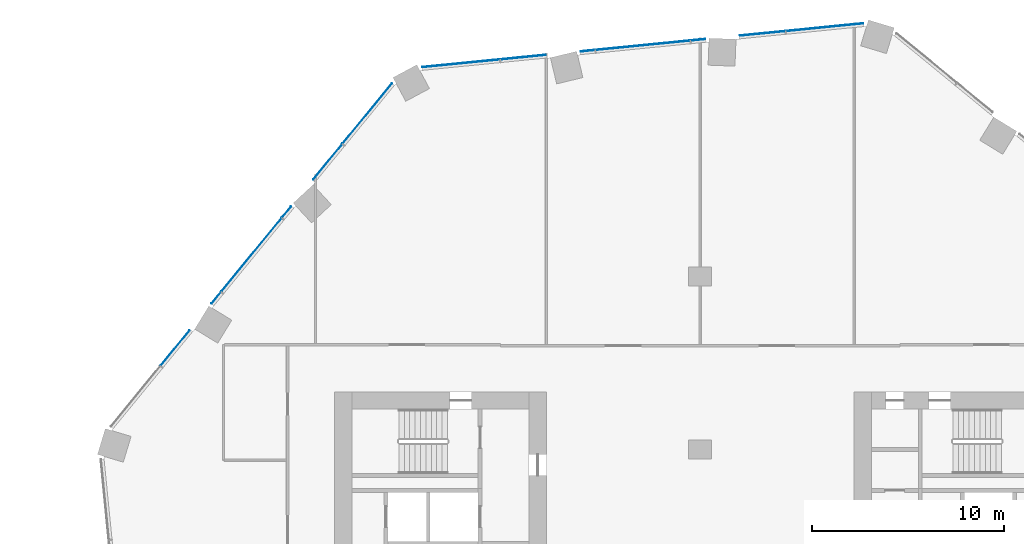
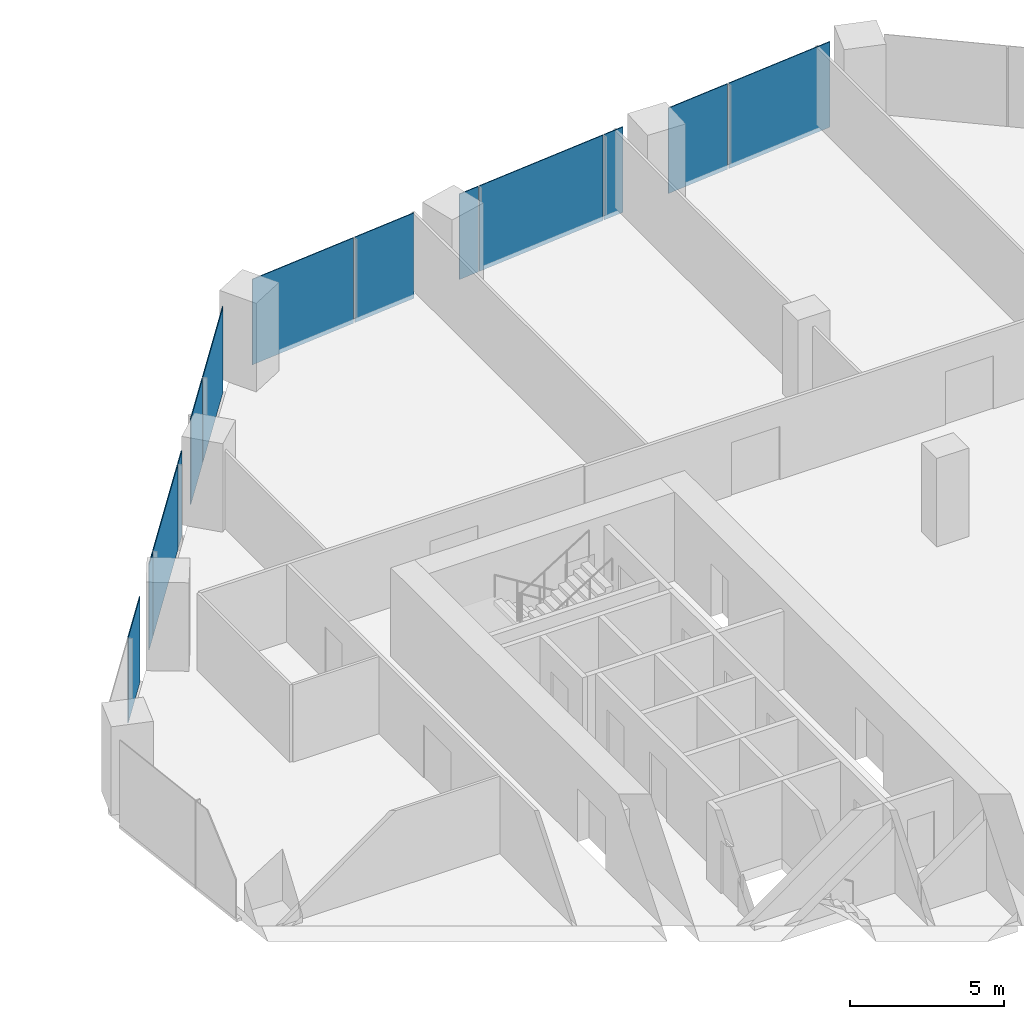
# One storey, part 25 of 34: 13 plates, 2 elements without a shape of their own.
"""IFC4 building model written with IfcOpenShell, lengths in metres."""

from ifc_helpers import new_model, si_unit, direction, frame, origin, origin_2d, place, context, subcontext, project, spatial, rectangle, extrude, material, layer, layer_set, type_object, element, aggregate, save


model = new_model("IFC4")

# Units and contexts
model_context = context("Model", 3, precision=1e-05, world=origin(), true_north=direction((0.0, 1.0)))
body_context = subcontext(model_context, "Body", "Model", "MODEL_VIEW")
ifc_project = project(units=[si_unit("LENGTHUNIT", "METRE"), si_unit("AREAUNIT", "SQUARE_METRE"), si_unit("VOLUMEUNIT", "CUBIC_METRE"), si_unit("PLANEANGLEUNIT", "RADIAN"), si_unit("MASSUNIT", "GRAM", prefix="KILO")], contexts=[model_context])

# Site, building, storey
site_placement = place(None, origin())
site = spatial("IfcSite", under=ifc_project, at=site_placement, CompositionType="ELEMENT")
building_placement = place(site_placement, origin())
building = spatial("IfcBuilding", under=site, at=building_placement, Name="Orlundy Tower", CompositionType="ELEMENT")
storey_placement = place(building_placement, frame((0.0, 0.0, 44.300048828125)))
storey = spatial("IfcBuildingStorey", under=building, at=storey_placement, Name="L09", CompositionType="ELEMENT", Elevation=44.300048828125)

# Curtain wall, plates
ifc_material_1 = material(Name="Aluminium bronze anodised", Category="aluminium")
curtain_wall_type = type_object("IfcCurtainWallType", Name="CW1 wall", PredefinedType="NOTDEFINED", material=ifc_material_1)
curtain_wall_1_placement = place(storey_placement, origin())
curtain_wall_1 = element("IfcCurtainWall", 1, at=curtain_wall_1_placement, inside=storey, type_object=curtain_wall_type, Name="CW1 run 02", PredefinedType="NOTDEFINED")
ifc_material_2 = material(Name="Tinted glass", Category="glass")
ifc_layer = layer(ifc_material_2, 0.031982421875)
ifc_layer_set = layer_set([ifc_layer], Name="CW1 glass panel 32")
plate_type = type_object("IfcPlateType", Name="CW1 glass panel 32", PredefinedType="CURTAIN_PANEL", material=ifc_layer_set)
plate_1_placement = place(storey_placement, frame((-27.29345703125, 14.28271484375, -0.300048828125), z_axis=(0.0, 0.0, 1.0), x_axis=(0.633818264458, 0.773482002143, 0.0)))
plate_1 = element("IfcPlate", 2, at=plate_1_placement, type_object=plate_type, Name="CW1 panel", PredefinedType="CURTAIN_PANEL", context=body_context, shape_type="SweptSolid", body=[
    extrude(rectangle(XDim=2.35791015625, YDim=0.031982421875, at=origin_2d()), origin(), (0.0, 0.0, 1.0), 3.3798828125),
])
plate_2_placement = place(storey_placement, frame((-25.158203125, 16.888427734375, -0.300048828125), z_axis=(0.0, 0.0, 1.0), x_axis=(0.633818264458, 0.773482002143, 0.0)))
plate_2 = element("IfcPlate", 3, at=plate_2_placement, type_object=plate_type, Name="CW1 panel", PredefinedType="CURTAIN_PANEL", context=body_context, shape_type="SweptSolid", body=[
    extrude(rectangle(XDim=0.74560546875, YDim=0.031982421875, at=origin_2d()), origin(), (0.0, 0.0, 1.0), 3.3798828125),
])
plate_3_placement = place(storey_placement, frame((-23.330810546875, 19.118408203125, -0.300048828125), z_axis=(0.0, 0.0, 1.0), x_axis=(0.633818264458, 0.773482002143, 0.0)))
plate_3 = element("IfcPlate", 4, at=plate_3_placement, type_object=plate_type, Name="CW1 panel", PredefinedType="CURTAIN_PANEL", context=body_context, shape_type="SweptSolid", body=[
    extrude(rectangle(XDim=4.92041015625, YDim=0.031982421875, at=origin_2d()), origin(), (0.0, 0.0, 1.0), 3.3798828125),
])
plate_4_placement = place(storey_placement, frame((-21.50341796875, 21.3486328125, -0.300048828125), z_axis=(0.0, 0.0, 1.0), x_axis=(0.633818264458, 0.773482002143, 0.0)))
plate_4 = element("IfcPlate", 5, at=plate_4_placement, type_object=plate_type, Name="CW1 panel", PredefinedType="CURTAIN_PANEL", context=body_context, shape_type="SweptSolid", body=[
    extrude(rectangle(XDim=0.74609375, YDim=0.031982421875, at=origin_2d()), origin(), (0.0, 0.0, 1.0), 3.3798828125),
])
plate_5_placement = place(storey_placement, frame((-19.3681640625, 23.954345703125, -0.300048828125), z_axis=(0.0, 0.0, 1.0), x_axis=(0.633818264458, 0.773482002143, 0.0)))
plate_5 = element("IfcPlate", 6, at=plate_5_placement, type_object=plate_type, Name="CW1 panel", PredefinedType="CURTAIN_PANEL", context=body_context, shape_type="SweptSolid", body=[
    extrude(rectangle(XDim=2.357421875, YDim=0.031982421875, at=origin_2d()), origin(), (0.0, 0.0, 1.0), 3.3798828125),
])
plate_6_placement = place(storey_placement, frame((-17.30908203125, 26.467041015625, -0.300048828125), z_axis=(0.0, 0.0, 1.0), x_axis=(0.633818264458, 0.773482002143, 0.0)))
plate_6 = element("IfcPlate", 7, at=plate_6_placement, type_object=plate_type, Name="CW1 panel", PredefinedType="CURTAIN_PANEL", context=body_context, shape_type="SweptSolid", body=[
    extrude(rectangle(XDim=4.0400390625, YDim=0.031982421875, at=origin_2d()), origin(), (0.0, 0.0, 1.0), 3.3798828125),
])
aggregate(curtain_wall_1, [plate_1, plate_2, plate_3, plate_4, plate_5, plate_6])

curtain_wall_2_placement = place(storey_placement, origin())
curtain_wall_2 = element("IfcCurtainWall", 8, at=curtain_wall_2_placement, inside=storey, type_object=curtain_wall_type, Name="CW1 run 03", PredefinedType="NOTDEFINED")
plate_7_placement = place(storey_placement, frame((-12.432373046875, 29.078125, -0.300048828125), z_axis=(0.0, 0.0, 1.0), x_axis=(0.995112991912, 0.098742763424, 0.0)))
plate_7 = element("IfcPlate", 9, at=plate_7_placement, type_object=plate_type, Name="CW1 panel", PredefinedType="CURTAIN_PANEL", context=body_context, shape_type="SweptSolid", body=[
    extrude(rectangle(XDim=4.03857421875, YDim=0.031982421875, at=origin_2d()), origin(), (0.0, 0.0, 1.0), 3.3798828125),
])
plate_8_placement = place(storey_placement, frame((-9.19970703125, 29.39892578125, -0.300048828125), z_axis=(0.0, 0.0, 1.0), x_axis=(0.995112991912, 0.098742763424, 0.0)))
plate_8 = element("IfcPlate", 10, at=plate_8_placement, type_object=plate_type, Name="CW1 panel", PredefinedType="CURTAIN_PANEL", context=body_context, shape_type="SweptSolid", body=[
    extrude(rectangle(XDim=2.3583984375, YDim=0.031982421875, at=origin_2d()), origin(), (0.0, 0.0, 1.0), 3.3798828125),
])
plate_9_placement = place(storey_placement, frame((-5.847412109375, 29.7314453125, -0.300048828125), z_axis=(0.0, 0.0, 1.0), x_axis=(0.995112991912, 0.098742763424, 0.0)))
plate_9 = element("IfcPlate", 11, at=plate_9_placement, type_object=plate_type, Name="CW1 panel", PredefinedType="CURTAIN_PANEL", context=body_context, shape_type="SweptSolid", body=[
    extrude(rectangle(XDim=0.7451171875, YDim=0.031982421875, at=origin_2d()), origin(), (0.0, 0.0, 1.0), 3.3798828125),
])
plate_10_placement = place(storey_placement, frame((-2.978759765625, 30.01611328125, -0.300048828125), z_axis=(0.0, 0.0, 1.0), x_axis=(0.995112991912, 0.098742763424, 0.0)))
plate_10 = element("IfcPlate", 12, at=plate_10_placement, type_object=plate_type, Name="CW1 panel", PredefinedType="CURTAIN_PANEL", context=body_context, shape_type="SweptSolid", body=[
    extrude(rectangle(XDim=4.92041015625, YDim=0.031982421875, at=origin_2d()), origin(), (0.0, 0.0, 1.0), 3.3798828125),
])
plate_11_placement = place(storey_placement, frame((-0.109619140625, 30.30078125, -0.300048828125), z_axis=(0.0, 0.0, 1.0), x_axis=(0.995112991912, 0.098742763424, 0.0)))
plate_11 = element("IfcPlate", 13, at=plate_11_placement, type_object=plate_type, Name="CW1 panel", PredefinedType="CURTAIN_PANEL", context=body_context, shape_type="SweptSolid", body=[
    extrude(rectangle(XDim=0.745849609375, YDim=0.031982421875, at=origin_2d()), origin(), (0.0, 0.0, 1.0), 3.3798828125),
])
plate_12_placement = place(storey_placement, frame((3.24267578125, 30.633544921875, -0.300048828125), z_axis=(0.0, 0.0, 1.0), x_axis=(0.995112991912, 0.098742763424, 0.0)))
plate_12 = element("IfcPlate", 14, at=plate_12_placement, type_object=plate_type, Name="CW1 panel", PredefinedType="CURTAIN_PANEL", context=body_context, shape_type="SweptSolid", body=[
    extrude(rectangle(XDim=2.357666015625, YDim=0.031982421875, at=origin_2d()), origin(), (0.0, 0.0, 1.0), 3.3798828125),
])
plate_13_placement = place(storey_placement, frame((6.47509765625, 30.954345703125, -0.300048828125), z_axis=(0.0, 0.0, 1.0), x_axis=(0.995112991912, 0.098742763424, 0.0)))
plate_13 = element("IfcPlate", 15, at=plate_13_placement, type_object=plate_type, Name="CW1 panel", PredefinedType="CURTAIN_PANEL", context=body_context, shape_type="SweptSolid", body=[
    extrude(rectangle(XDim=4.0390625, YDim=0.031982421875, at=origin_2d()), origin(), (0.0, 0.0, 1.0), 3.3798828125),
])
aggregate(curtain_wall_2, [plate_7, plate_8, plate_9, plate_10, plate_11, plate_12, plate_13])

save(model, "model.ifc")
